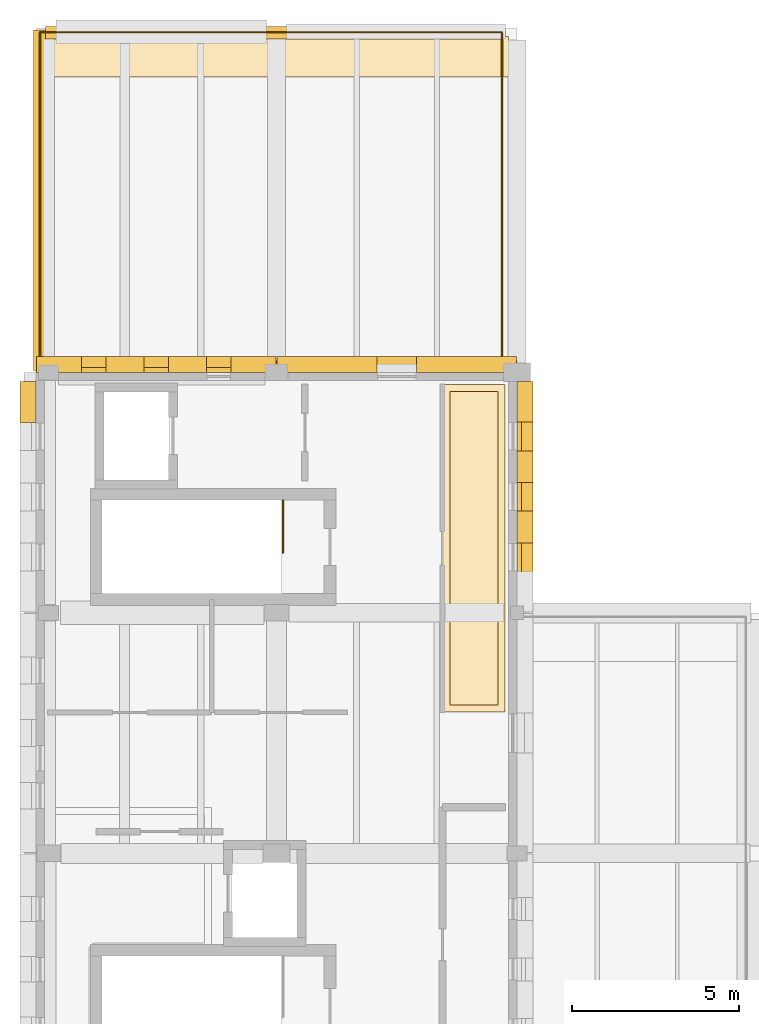
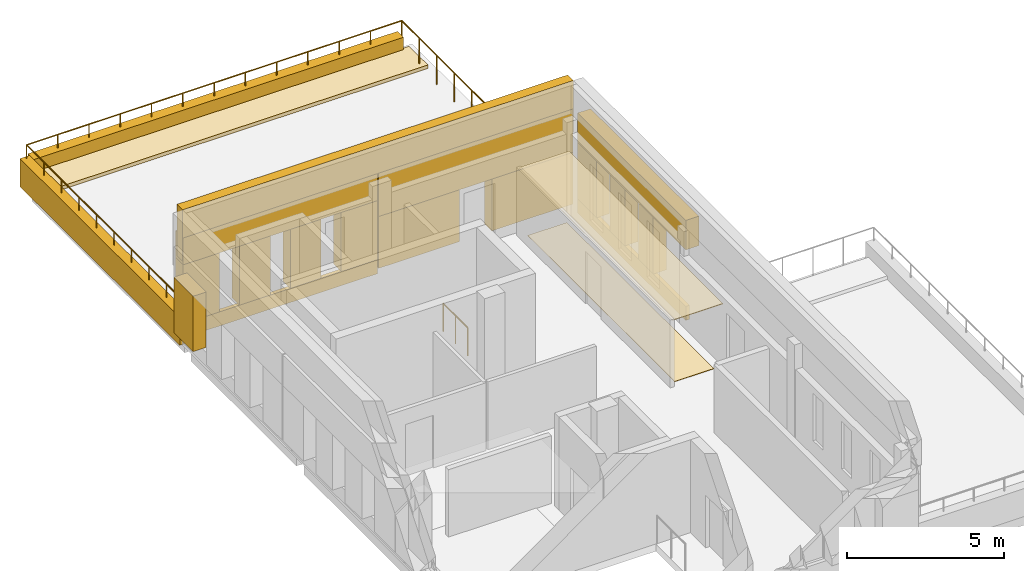
# One storey, part 6 of 6: 21 coverings, 2 railings.
"""IFC4 building model written with IfcOpenShell, lengths in metres."""

from ifc_helpers import new_model, si_unit, direction, frame, origin, origin_2d, place, context, subcontext, project, spatial, polyline, circle, outline, extrude, material, layer, layer_set, type_object, element, save


model = new_model("IFC4")

# Units and contexts
model_context = context("Model", 3, precision=1e-05, world=origin(), true_north=direction((0.0, 1.0)))
body_context = subcontext(model_context, "Body", "Model", "MODEL_VIEW")
ifc_project = project(units=[si_unit("LENGTHUNIT", "METRE"), si_unit("AREAUNIT", "SQUARE_METRE"), si_unit("VOLUMEUNIT", "CUBIC_METRE"), si_unit("PLANEANGLEUNIT", "RADIAN"), si_unit("MASSUNIT", "GRAM", prefix="KILO")], contexts=[model_context])

# Site, building, storey
site_placement = place(None, origin())
site = spatial("IfcSite", under=ifc_project, at=site_placement, CompositionType="ELEMENT")
building_placement = place(site_placement, origin())
building = spatial("IfcBuilding", under=site, at=building_placement, Name="Vardoun Plaza Health Centre", CompositionType="ELEMENT")
storey_placement = place(building_placement, frame((0.0, 0.0, 25.050048828125)))
storey = spatial("IfcBuildingStorey", under=building, at=storey_placement, Name="L06", CompositionType="ELEMENT", Elevation=25.050048828125)

# Coverings
ifc_material_1 = material(Name="Hygienic Acoustic Mineral-Fibre Ceiling", Category="concrete")
ifc_layer_1 = layer(ifc_material_1, 0.02490234375)
ifc_layer_set_1 = layer_set([ifc_layer_1], Name="Hygienic Acoustic Mineral-Fibre Ceiling")
covering_type_1 = type_object("IfcCoveringType", Name="CL-01", PredefinedType="CEILING", material=ifc_layer_set_1)
covering_1_placement = place(storey_placement, frame((0.0, 0.0, 2.579833984375)))
element("IfcCovering", 1, at=covering_1_placement, inside=storey, type_object=covering_type_1, Name="Clinical Staff On-Call Lounge Acoustic Ceiling", PredefinedType="CEILING", context=body_context, shape_type="SweptSolid", body=[
    extrude(outline(polyline([(18.5400390625, 25.739990234375), (18.5400390625, 15.929931640625), (16.679931640625, 15.929931640625), (16.679931640625, 25.739990234375), (18.5400390625, 25.739990234375)])), origin(), (0.0, 0.0, 1.0), 0.025146484375),
])
ifc_material_2 = material(Name="Pale Limestone Concrete C35/45", Category="masonry")
ifc_layer_2 = layer(ifc_material_2, 0.080078125)
ifc_layer_set_2 = layer_set([ifc_layer_2], Name="Pale Limestone Concrete C35/45")
covering_type_2 = type_object("IfcCoveringType", Name="CL-EXT1", PredefinedType="CLADDING", material=ifc_layer_set_2)
covering_2_placement = place(storey_placement, origin())
element("IfcCovering", 2, at=covering_2_placement, inside=storey, type_object=covering_type_2, Name="V2 L06 Pale Concrete Sill Band 646", PredefinedType="CLADDING", context=body_context, shape_type="SweptSolid", body=[
    extrude(outline(polyline([(4.52001953125, 26.10009765625), (11.679931640625, 26.10009765625), (11.679931640625, 26.239990234375), (4.52001953125, 26.239990234375), (4.52001953125, 26.10009765625)])), origin(), (0.0, 0.0, 1.0), 0.550048828125),
])
covering_3_placement = place(storey_placement, frame((0.0, 0.0, 2.849853515625)))
element("IfcCovering", 3, at=covering_3_placement, inside=storey, type_object=covering_type_2, Name="V2 L06 Sculpted Concrete Eyebrow Hood 647", PredefinedType="CLADDING", context=body_context, shape_type="SweptSolid", body=[
    extrude(outline(polyline([(4.52001953125, 26.10009765625), (11.679931640625, 26.10009765625), (11.679931640625, 26.580078125), (4.52001953125, 26.580078125), (4.52001953125, 26.10009765625)])), origin(), (0.0, 0.0, 1.0), 1.050048828125),
])
covering_4_placement = place(storey_placement, frame((0.0, 0.0, 0.550048828125)))
element("IfcCovering", 4, at=covering_4_placement, inside=storey, type_object=covering_type_2, Name="V2 L06 Deep-Punched Slot Concrete Reveal Pier 648", PredefinedType="CLADDING", context=body_context, shape_type="SweptSolid", body=[
    extrude(outline(polyline([(4.52001953125, 26.10009765625), (5.85791015625, 26.10009765625), (5.85791015625, 26.580078125), (4.52001953125, 26.580078125), (4.52001953125, 26.10009765625)])), origin(), (0.0, 0.0, 1.0), 2.2998046875),
])
covering_5_placement = place(storey_placement, frame((0.0, 0.0, 0.550048828125)))
element("IfcCovering", 5, at=covering_5_placement, inside=storey, type_object=covering_type_2, Name="V2 L06 Deep-Punched Slot Concrete Reveal Pier 649", PredefinedType="CLADDING", context=body_context, shape_type="SweptSolid", body=[
    extrude(outline(polyline([(6.597900390625, 26.10009765625), (7.72998046875, 26.10009765625), (7.72998046875, 26.580078125), (6.597900390625, 26.580078125), (6.597900390625, 26.10009765625)])), origin(), (0.0, 0.0, 1.0), 2.2998046875),
])
covering_6_placement = place(storey_placement, frame((0.0, 0.0, 0.550048828125)))
element("IfcCovering", 6, at=covering_6_placement, inside=storey, type_object=covering_type_2, Name="V2 L06 Deep-Punched Slot Concrete Reveal Pier 650", PredefinedType="CLADDING", context=body_context, shape_type="SweptSolid", body=[
    extrude(outline(polyline([(8.469970703125, 26.10009765625), (9.60205078125, 26.10009765625), (9.60205078125, 26.580078125), (8.469970703125, 26.580078125), (8.469970703125, 26.10009765625)])), origin(), (0.0, 0.0, 1.0), 2.2998046875),
])
covering_7_placement = place(storey_placement, frame((0.0, 0.0, 0.550048828125)))
element("IfcCovering", 7, at=covering_7_placement, inside=storey, type_object=covering_type_2, Name="V2 L06 Deep-Punched Slot Concrete Reveal Pier 651", PredefinedType="CLADDING", context=body_context, shape_type="SweptSolid", body=[
    extrude(outline(polyline([(10.342041015625, 26.10009765625), (11.679931640625, 26.10009765625), (11.679931640625, 26.580078125), (10.342041015625, 26.580078125), (10.342041015625, 26.10009765625)])), origin(), (0.0, 0.0, 1.0), 2.2998046875),
])
covering_8_placement = place(storey_placement, frame((0.0, 0.0, 2.2099609375)))
element("IfcCovering", 8, at=covering_8_placement, inside=storey, type_object=covering_type_2, Name="V2 L06 Sculpted Concrete Eyebrow Hood 652", PredefinedType="CLADDING", context=body_context, shape_type="SweptSolid", body=[
    extrude(outline(polyline([(11.719970703125, 26.10009765625), (18.8798828125, 26.10009765625), (18.8798828125, 26.580078125), (11.719970703125, 26.580078125), (11.719970703125, 26.10009765625)])), origin(), (0.0, 0.0, 1.0), 1.68994140625),
])
covering_9_placement = place(storey_placement, frame((0.0, 0.0, 0.18994140625)))
element("IfcCovering", 9, at=covering_9_placement, inside=storey, type_object=covering_type_2, Name="V2 L06 Deep-Punched Slot Concrete Reveal Pier 653", PredefinedType="CLADDING", context=body_context, shape_type="SweptSolid", body=[
    extrude(outline(polyline([(11.719970703125, 26.10009765625), (14.705078125, 26.10009765625), (14.705078125, 26.580078125), (11.719970703125, 26.580078125), (11.719970703125, 26.10009765625)])), origin(), (0.0, 0.0, 1.0), 2.02001953125),
])
covering_10_placement = place(storey_placement, frame((0.0, 0.0, 0.18994140625)))
element("IfcCovering", 10, at=covering_10_placement, inside=storey, type_object=covering_type_2, Name="V2 L06 Deep-Punched Slot Concrete Reveal Pier 654", PredefinedType="CLADDING", context=body_context, shape_type="SweptSolid", body=[
    extrude(outline(polyline([(15.89501953125, 26.10009765625), (18.8798828125, 26.10009765625), (18.8798828125, 26.580078125), (15.89501953125, 26.580078125), (15.89501953125, 26.10009765625)])), origin(), (0.0, 0.0, 1.0), 2.02001953125),
])
covering_11_placement = place(storey_placement, origin())
element("IfcCovering", 11, at=covering_11_placement, inside=storey, type_object=covering_type_2, Name="V2 L06 Pale Concrete Sill Band 655", PredefinedType="CLADDING", context=body_context, shape_type="SweptSolid", body=[
    extrude(outline(polyline([(18.89990234375, 25.830078125), (18.89990234375, 18.919921875), (19.0400390625, 18.919921875), (19.0400390625, 25.830078125), (18.89990234375, 25.830078125)])), origin(), (0.0, 0.0, 1.0), 0.550048828125),
])
covering_12_placement = place(storey_placement, frame((0.0, 0.0, 2.75)))
element("IfcCovering", 12, at=covering_12_placement, inside=storey, type_object=covering_type_2, Name="V2 L06 Sculpted Concrete Eyebrow Hood 656", PredefinedType="CLADDING", context=body_context, shape_type="SweptSolid", body=[
    extrude(outline(polyline([(18.89990234375, 25.830078125), (18.89990234375, 18.919921875), (19.3798828125, 18.919921875), (19.3798828125, 25.830078125), (18.89990234375, 25.830078125)])), origin(), (0.0, 0.0, 1.0), 1.14990234375),
])
covering_13_placement = place(storey_placement, frame((0.0, 0.0, 0.550048828125)))
element("IfcCovering", 13, at=covering_13_placement, inside=storey, type_object=covering_type_2, Name="V2 L06 Deep-Punched Slot Concrete Reveal Pier 657", PredefinedType="CLADDING", context=body_context, shape_type="SweptSolid", body=[
    extrude(outline(polyline([(18.89990234375, 25.830078125), (18.89990234375, 24.612060546875), (19.3798828125, 24.612060546875), (19.3798828125, 25.830078125), (18.89990234375, 25.830078125)])), origin(), (0.0, 0.0, 1.0), 2.199951171875),
])
covering_14_placement = place(storey_placement, frame((0.0, 0.0, 0.550048828125)))
element("IfcCovering", 14, at=covering_14_placement, inside=storey, type_object=covering_type_2, Name="V2 L06 Deep-Punched Slot Concrete Reveal Pier 658", PredefinedType="CLADDING", context=body_context, shape_type="SweptSolid", body=[
    extrude(outline(polyline([(18.89990234375, 23.751953125), (18.89990234375, 22.804931640625), (19.3798828125, 22.804931640625), (19.3798828125, 23.751953125), (18.89990234375, 23.751953125)])), origin(), (0.0, 0.0, 1.0), 2.199951171875),
])
covering_15_placement = place(storey_placement, frame((0.0, 0.0, 0.550048828125)))
element("IfcCovering", 15, at=covering_15_placement, inside=storey, type_object=covering_type_2, Name="V2 L06 Deep-Punched Slot Concrete Reveal Pier 659", PredefinedType="CLADDING", context=body_context, shape_type="SweptSolid", body=[
    extrude(outline(polyline([(18.89990234375, 21.945068359375), (18.89990234375, 20.998046875), (19.3798828125, 20.998046875), (19.3798828125, 21.945068359375), (18.89990234375, 21.945068359375)])), origin(), (0.0, 0.0, 1.0), 2.199951171875),
])
covering_16_placement = place(storey_placement, frame((0.0, 0.0, 0.550048828125)))
element("IfcCovering", 16, at=covering_16_placement, inside=storey, type_object=covering_type_2, Name="V2 L06 Deep-Punched Slot Concrete Reveal Pier 699", PredefinedType="CLADDING", context=body_context, shape_type="SweptSolid", body=[
    extrude(outline(polyline([(4.5, 24.60205078125), (4.5, 25.830078125), (4.02001953125, 25.830078125), (4.02001953125, 24.60205078125), (4.5, 24.60205078125)])), origin(), (0.0, 0.0, 1.0), 2.159912109375),
])
covering_17_placement = place(storey_placement, frame((0.0, 0.0, -0.280029296875)))
element("IfcCovering", 17, at=covering_17_placement, inside=storey, type_object=covering_type_2, Name="V2 L06 Sculpted White Terrace Planter Ribbon W1", PredefinedType="CLADDING", context=body_context, shape_type="SweptSolid", body=[
    extrude(outline(polyline([(4.419921875, 26.14990234375), (4.780029296875, 26.14990234375), (4.780029296875, 36.35009765625), (4.419921875, 36.35009765625), (4.419921875, 26.14990234375)])), origin(), (0.0, 0.0, 1.0), 1.090087890625),
])
covering_18_placement = place(storey_placement, frame((0.0, 0.0, -0.280029296875)))
element("IfcCovering", 18, at=covering_18_placement, inside=storey, type_object=covering_type_2, Name="V2 L06 Sculpted White Terrace Planter Ribbon N1", PredefinedType="CLADDING", context=body_context, shape_type="SweptSolid", body=[
    extrude(outline(polyline([(4.780029296875, 36.080078125), (18.39990234375, 36.080078125), (18.39990234375, 36.4599609375), (4.780029296875, 36.4599609375), (4.780029296875, 36.080078125)])), origin(), (0.0, 0.0, 1.0), 1.090087890625),
])
covering_19_placement = place(storey_placement, frame((0.0, 0.0, 3.0)))
element("IfcCovering", 19, at=covering_19_placement, inside=storey, type_object=covering_type_2, Name="V2 Sculpted White Crown Cornice 1", PredefinedType="CLADDING", context=body_context, shape_type="SweptSolid", body=[
    extrude(outline(polyline([(4.5, 26.10009765625), (18.89990234375, 26.10009765625), (18.89990234375, 26.4599609375), (4.5, 26.4599609375), (4.5, 26.10009765625)])), origin(), (0.0, 0.0, 1.0), 2.0),
])
ifc_material_3 = material(Name="Seamless Conductive Clinical Vinyl Flooring", Category="concrete")
ifc_layer_3 = layer(ifc_material_3, 0.014892578125)
ifc_layer_set_3 = layer_set([ifc_layer_3], Name="Seamless Conductive Clinical Vinyl Flooring")
covering_type_3 = type_object("IfcCoveringType", Name="FL-01", PredefinedType="FLOORING", material=ifc_layer_set_3)
covering_20_placement = place(storey_placement, origin())
element("IfcCovering", 20, at=covering_20_placement, inside=storey, type_object=covering_type_3, Name="Clinical Staff On-Call Lounge Floor Finish", PredefinedType="FLOORING", context=body_context, shape_type="SweptSolid", body=[
    extrude(outline(polyline([(18.330078125, 25.530029296875), (18.330078125, 16.139892578125), (16.889892578125, 16.139892578125), (16.889892578125, 25.530029296875), (18.330078125, 25.530029296875)])), origin(), (0.0, 0.0, 1.0), 0.014892578125),
])
ifc_material_4 = material(Name="Planted Mediterranean Garden Substrate", Category="wood")
ifc_layer_4 = layer(ifc_material_4, 0.139892578125)
ifc_layer_set_4 = layer_set([ifc_layer_4], Name="Planted Mediterranean Garden Substrate")
covering_type_4 = type_object("IfcCoveringType", Name="CV-G1", PredefinedType="ROOFING", material=ifc_layer_set_4)
covering_21_placement = place(storey_placement, frame((0.0, 0.0, 0.18994140625)))
element("IfcCovering", 21, at=covering_21_placement, inside=storey, type_object=covering_type_4, Name="V2 L06 Garden Planter Bed 1", PredefinedType="ROOFING", context=body_context, shape_type="SweptSolid", body=[
    extrude(outline(polyline([(4.75, 34.949951171875), (18.64990234375, 34.949951171875), (18.64990234375, 36.14990234375), (4.75, 36.14990234375), (4.75, 34.949951171875)])), origin(), (0.0, 0.0, 1.0), 0.139892578125),
])

# Railings
ifc_material_5 = material(Name="Painted Steel S275JR Stair-Well Guardrail", Category="steel")
railing_type_1 = type_object("IfcRailingType", Name="GR-04", PredefinedType="GUARDRAIL", material=ifc_material_5)
railing_1_placement = place(storey_placement, frame((11.889892578125, 20.705078125, 0.0)))
element("IfcRailing", 22, at=railing_1_placement, inside=storey, type_object=railing_type_1, Name="Stair ST-C2-L05 Upper Landing Well Guard", PredefinedType="GUARDRAIL", context=body_context, shape_type="SweptSolid", body=[
    extrude(circle(Radius=0.02392578125, at=origin_2d()), frame((0.0, 0.0, 1.09619140625), z_axis=(0.0, 1.0, 0.0), x_axis=(-1.0, 0.0, 0.0)), (0.0, 0.0, 1.0), 1.56494140625),
    extrude(circle(Radius=0.02099609375, at=origin_2d()), origin(), (0.0, 0.0, 1.0), 1.072021484375),
    extrude(circle(Radius=0.02099609375, at=origin_2d()), frame((0.0, 0.782470703125, 0.0)), (0.0, 0.0, 1.0), 1.072021484375),
    extrude(circle(Radius=0.02099609375, at=origin_2d()), frame((0.0, 1.56494140625, 0.0)), (0.0, 0.0, 1.0), 1.072021484375),
])
ifc_material_6 = material(Name="Galvanised Steel S275JR and Laminated Glass", Category="steel")
railing_type_2 = type_object("IfcRailingType", Name="GR-01", PredefinedType="BALUSTRADE", material=ifc_material_6)
railing_2_placement = place(storey_placement, frame((4.6201171875, 26.219970703125, 0.18994140625)))
element("IfcRailing", 23, at=railing_2_placement, inside=storey, type_object=railing_type_2, Name="V2 L06 Terrace Balustrade 1", PredefinedType="BALUSTRADE", context=body_context, shape_type="SweptSolid", body=[
    extrude(circle(Radius=0.02392578125, at=origin_2d()), frame((0.0, 0.0, 1.1259765625), z_axis=(0.0, 1.0, 0.0), x_axis=(-1.0, 0.0, 0.0)), (0.0, 0.0, 1.0), 10.06005859375),
    extrude(circle(Radius=0.02392578125, at=origin_2d()), frame((0.0, 10.06005859375, 1.1259765625), z_axis=(1.0, 0.0, 0.0), x_axis=(0.0, 1.0, 0.0)), (0.0, 0.0, 1.0), 13.829833984375),
    extrude(circle(Radius=0.02392578125, at=origin_2d()), frame((13.829833984375, 10.06005859375, 1.1259765625), z_axis=(0.0, -1.0, 0.0), x_axis=(1.0, 0.0, 0.0)), (0.0, 0.0, 1.0), 10.06005859375),
    extrude(circle(Radius=0.02099609375, at=origin_2d()), origin(), (0.0, 0.0, 1.0), 1.101806640625),
    extrude(circle(Radius=0.02099609375, at=origin_2d()), frame((0.0, 1.11767578125, 0.0)), (0.0, 0.0, 1.0), 1.101806640625),
    extrude(circle(Radius=0.02099609375, at=origin_2d()), frame((0.0, 2.235595703125, 0.0)), (0.0, 0.0, 1.0), 1.101806640625),
    extrude(circle(Radius=0.02099609375, at=origin_2d()), frame((0.0, 3.353271484375, 0.0)), (0.0, 0.0, 1.0), 1.101806640625),
    extrude(circle(Radius=0.02099609375, at=origin_2d()), frame((0.0, 4.47119140625, 0.0)), (0.0, 0.0, 1.0), 1.101806640625),
    extrude(circle(Radius=0.02099609375, at=origin_2d()), frame((0.0, 5.5888671875, 0.0)), (0.0, 0.0, 1.0), 1.101806640625),
    extrude(circle(Radius=0.02099609375, at=origin_2d()), frame((0.0, 6.706787109375, 0.0)), (0.0, 0.0, 1.0), 1.101806640625),
    extrude(circle(Radius=0.02099609375, at=origin_2d()), frame((0.0, 7.824462890625, 0.0)), (0.0, 0.0, 1.0), 1.101806640625),
    extrude(circle(Radius=0.02099609375, at=origin_2d()), frame((0.0, 8.9423828125, 0.0)), (0.0, 0.0, 1.0), 1.101806640625),
    extrude(circle(Radius=0.02099609375, at=origin_2d()), frame((0.0, 10.06005859375, 0.0)), (0.0, 0.0, 1.0), 1.101806640625),
    extrude(circle(Radius=0.02099609375, at=origin_2d()), frame((1.152587890625, 10.06005859375, 0.0)), (0.0, 0.0, 1.0), 1.101806640625),
    extrude(circle(Radius=0.02099609375, at=origin_2d()), frame((2.304931640625, 10.06005859375, 0.0)), (0.0, 0.0, 1.0), 1.101806640625),
    extrude(circle(Radius=0.02099609375, at=origin_2d()), frame((3.45751953125, 10.06005859375, 0.0)), (0.0, 0.0, 1.0), 1.101806640625),
    extrude(circle(Radius=0.02099609375, at=origin_2d()), frame((4.60986328125, 10.06005859375, 0.0)), (0.0, 0.0, 1.0), 1.101806640625),
    extrude(circle(Radius=0.02099609375, at=origin_2d()), frame((5.762451171875, 10.06005859375, 0.0)), (0.0, 0.0, 1.0), 1.101806640625),
    extrude(circle(Radius=0.02099609375, at=origin_2d()), frame((6.9150390625, 10.06005859375, 0.0)), (0.0, 0.0, 1.0), 1.101806640625),
    extrude(circle(Radius=0.02099609375, at=origin_2d()), frame((8.0673828125, 10.06005859375, 0.0)), (0.0, 0.0, 1.0), 1.101806640625),
    extrude(circle(Radius=0.02099609375, at=origin_2d()), frame((9.219970703125, 10.06005859375, 0.0)), (0.0, 0.0, 1.0), 1.101806640625),
    extrude(circle(Radius=0.02099609375, at=origin_2d()), frame((10.372314453125, 10.06005859375, 0.0)), (0.0, 0.0, 1.0), 1.101806640625),
    extrude(circle(Radius=0.02099609375, at=origin_2d()), frame((11.52490234375, 10.06005859375, 0.0)), (0.0, 0.0, 1.0), 1.101806640625),
    extrude(circle(Radius=0.02099609375, at=origin_2d()), frame((12.67724609375, 10.06005859375, 0.0)), (0.0, 0.0, 1.0), 1.101806640625),
    extrude(circle(Radius=0.02099609375, at=origin_2d()), frame((13.829833984375, 10.06005859375, 0.0)), (0.0, 0.0, 1.0), 1.101806640625),
    extrude(circle(Radius=0.02099609375, at=origin_2d()), frame((13.829833984375, 8.9423828125, 0.0)), (0.0, 0.0, 1.0), 1.101806640625),
    extrude(circle(Radius=0.02099609375, at=origin_2d()), frame((13.829833984375, 7.824462890625, 0.0)), (0.0, 0.0, 1.0), 1.101806640625),
    extrude(circle(Radius=0.02099609375, at=origin_2d()), frame((13.829833984375, 6.706787109375, 0.0)), (0.0, 0.0, 1.0), 1.101806640625),
    extrude(circle(Radius=0.02099609375, at=origin_2d()), frame((13.829833984375, 5.5888671875, 0.0)), (0.0, 0.0, 1.0), 1.101806640625),
    extrude(circle(Radius=0.02099609375, at=origin_2d()), frame((13.829833984375, 4.47119140625, 0.0)), (0.0, 0.0, 1.0), 1.101806640625),
    extrude(circle(Radius=0.02099609375, at=origin_2d()), frame((13.829833984375, 3.353271484375, 0.0)), (0.0, 0.0, 1.0), 1.101806640625),
    extrude(circle(Radius=0.02099609375, at=origin_2d()), frame((13.829833984375, 2.235595703125, 0.0)), (0.0, 0.0, 1.0), 1.101806640625),
    extrude(circle(Radius=0.02099609375, at=origin_2d()), frame((13.829833984375, 1.11767578125, 0.0)), (0.0, 0.0, 1.0), 1.101806640625),
    extrude(circle(Radius=0.02099609375, at=origin_2d()), frame((13.829833984375, 0.0, 0.0)), (0.0, 0.0, 1.0), 1.101806640625),
])

save(model, "model.ifc")
